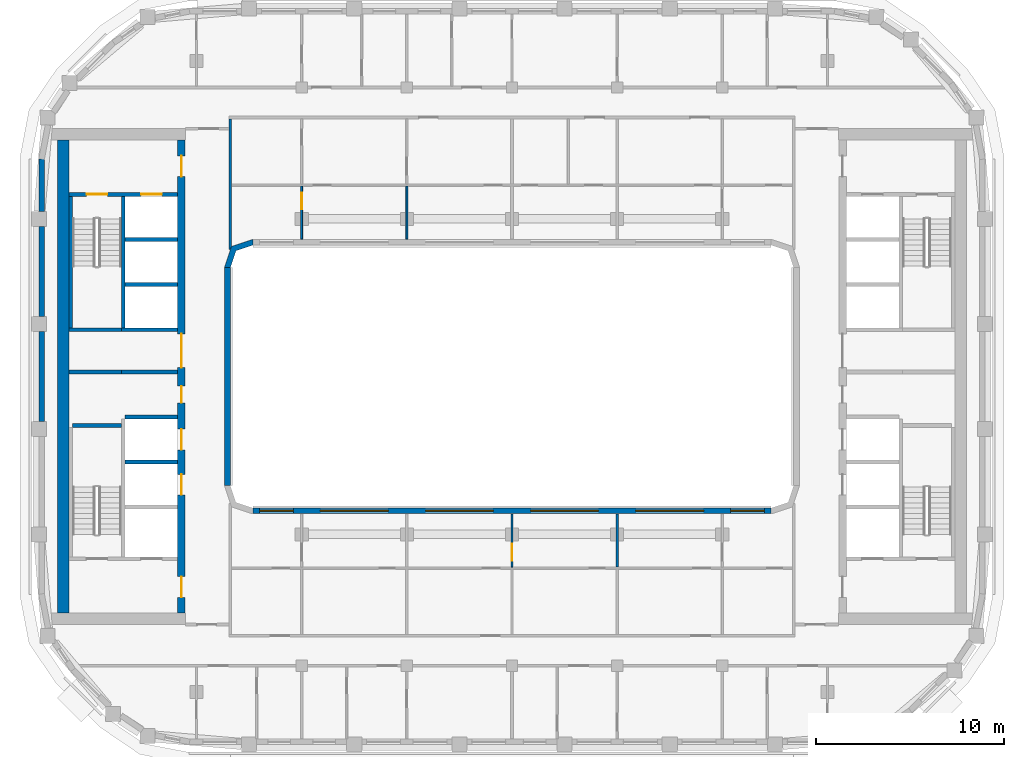
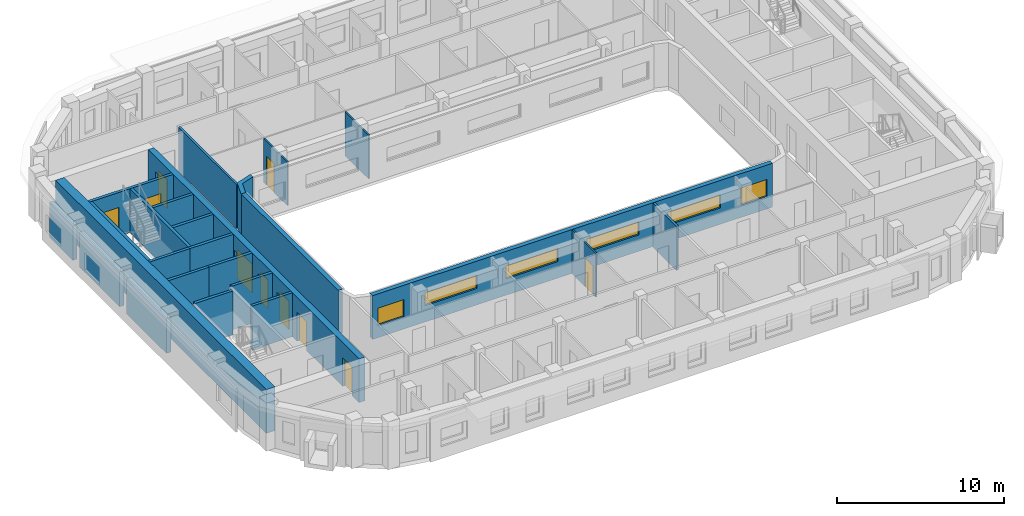
# One storey, part 4 of 16: 25 walls, 10 doors, 6 windows, 16 openings.
"""IFC4 building model written with IfcOpenShell, lengths in metres."""

from ifc_helpers import new_model, si_unit, direction, frame, frame_2d, origin, place, context, subcontext, project, spatial, polyline, rectangle, outline, extrude, material, layer, layer_set, type_object, element, fill, save


model = new_model("IFC4")

# Units and contexts
model_context = context("Model", 3, precision=1e-05, world=origin(), true_north=direction((0.0, 1.0)))
body_context = subcontext(model_context, "Body", "Model", "MODEL_VIEW")
ifc_project = project(units=[si_unit("LENGTHUNIT", "METRE"), si_unit("AREAUNIT", "SQUARE_METRE"), si_unit("VOLUMEUNIT", "CUBIC_METRE"), si_unit("PLANEANGLEUNIT", "RADIAN"), si_unit("MASSUNIT", "GRAM", prefix="KILO")], contexts=[model_context])

# Site, building, storey
site_placement = place(None, origin())
site = spatial("IfcSite", under=ifc_project, at=site_placement, CompositionType="ELEMENT")
building_placement = place(site_placement, origin())
building = spatial("IfcBuilding", under=site, at=building_placement, Name="Kiln Ring Residences", CompositionType="ELEMENT")
storey_placement = place(building_placement, frame((0.0, 0.0, 245.199951171875)))
storey = spatial("IfcBuildingStorey", under=building, at=storey_placement, Name="L63", CompositionType="ELEMENT", Elevation=245.199951171875)

# Walls
ifc_material_1 = material(Name="Gypsum board on steel studs", Category="steel")
ifc_layer_1 = layer(ifc_material_1, 0.199951171875)
ifc_layer_set_1 = layer_set([ifc_layer_1], Name="CORE-PARTITION-200")
wall_type_1 = type_object("IfcWallType", Name="CORE-PARTITION-200", PredefinedType="PARTITIONING", material=ifc_layer_set_1)
wall_1_placement = place(storey_placement, frame((-20.800048828125, 0.25, 0.0), z_axis=(0.0, 0.0, 1.0), x_axis=(-1.0, 0.0, 0.0)))
element("IfcWall", 1, at=wall_1_placement, inside=storey, type_object=wall_type_1, Name="Core partition west L63 1", PredefinedType="PARTITIONING", context=body_context, shape_type="SweptSolid", body=[
    extrude(rectangle(XDim=2.800048828125, YDim=0.199951171875, at=frame_2d((1.39990234375, 0.0))), origin(), (0.0, 0.0, 1.0), 3.199951171875),
])
ifc_material_2 = material(Name="Gypsum shaft wall system")
ifc_layer_2 = layer(ifc_material_2, 0.199951171875)
ifc_layer_set_2 = layer_set([ifc_layer_2], Name="CORE-SHAFT-WALL-200")
wall_type_2 = type_object("IfcWallType", Name="CORE-SHAFT-WALL-200", PredefinedType="PARTITIONING", material=ifc_layer_set_2)
for number, where, z_axis, x_axis, name in (
    (2, (-17.800048828125, -4.550048828125, 0.0), (0.0, 0.0, 1.0), (-1.0, 0.0, 0.0), "Core partition west L63 3"),
    (3, (-17.800048828125, -2.14990234375, 0.0), (0.0, 0.0, 1.0), (-1.0, 0.0, 0.0), "Core partition west L63 4"),
):
    element("IfcWall", number, at=place(storey_placement, frame(where, z_axis=z_axis, x_axis=x_axis)), inside=storey, type_object=wall_type_2, Name=name, PredefinedType="PARTITIONING", context=body_context, shape_type="SweptSolid", body=[
        extrude(rectangle(XDim=2.800048828125, YDim=0.199951171875, at=frame_2d((1.39990234375, 0.0))), origin(), (0.0, 0.0, 1.0), 3.199951171875),
    ])
for number, where, z_axis, x_axis, name in (
    (4, (-17.800048828125, 0.25, 0.0), (0.0, 0.0, 1.0), (-1.0, 0.0, 0.0), "Core partition west L63 5"),
    (5, (-17.800048828125, 2.5, 0.0), (0.0, 0.0, 1.0), (-1.0, 0.0, 0.0), "Core partition west L63 6"),
):
    element("IfcWall", number, at=place(storey_placement, frame(where, z_axis=z_axis, x_axis=x_axis)), inside=storey, type_object=wall_type_2, Name=name, PredefinedType="PARTITIONING", context=body_context, shape_type="SweptSolid", body=[
        extrude(rectangle(XDim=3.0, YDim=0.199951171875, at=frame_2d((1.5, 0.0))), origin(), (0.0, 0.0, 1.0), 3.199951171875),
    ])
for number, where, z_axis, x_axis, name in (
    (6, (-17.800048828125, 4.89990234375, 0.0), (0.0, 0.0, 1.0), (-1.0, 0.0, 0.0), "Core partition west L63 7"),
    (7, (-17.800048828125, 7.300048828125, 0.0), (0.0, 0.0, 1.0), (-1.0, 0.0, 0.0), "Core partition west L63 8"),
):
    element("IfcWall", number, at=place(storey_placement, frame(where, z_axis=z_axis, x_axis=x_axis)), inside=storey, type_object=wall_type_2, Name=name, PredefinedType="PARTITIONING", context=body_context, shape_type="SweptSolid", body=[
        extrude(rectangle(XDim=2.800048828125, YDim=0.199951171875, at=frame_2d((1.39990234375, 0.0))), origin(), (0.0, 0.0, 1.0), 3.199951171875),
    ])
ifc_material_3 = material(Name="Concrete C40/50", Category="concrete")
ifc_layer_3 = layer(ifc_material_3, 0.199951171875)
ifc_layer_set_3 = layer_set([ifc_layer_3], Name="CORE-WALL-RC200")
wall_type_3 = type_object("IfcWallType", Name="CORE-WALL-RC200", PredefinedType="SHEAR", material=ifc_layer_set_3)
wall_2_placement = place(storey_placement, frame((-20.699951171875, 2.60009765625, 0.0), z_axis=(0.0, 0.0, 1.0), x_axis=(0.0, 1.0, 0.0)))
element("IfcWall", 8, at=wall_2_placement, inside=storey, type_object=wall_type_3, Name="Core wall west L63 1", PredefinedType="SHEAR", context=body_context, shape_type="SweptSolid", body=[
    extrude(rectangle(XDim=7.0, YDim=0.199951171875, at=frame_2d((3.5, 0.0))), origin(), (0.0, 0.0, 1.0), 3.199951171875),
])
wall_3_placement = place(storey_placement, frame((-20.800048828125, 2.5, 0.0), z_axis=(0.0, 0.0, 1.0), x_axis=(-1.0, 0.0, 0.0)))
element("IfcWall", 9, at=wall_3_placement, inside=storey, type_object=wall_type_3, Name="Core wall west L63 3", PredefinedType="SHEAR", context=body_context, shape_type="SweptSolid", body=[
    extrude(rectangle(XDim=2.800048828125, YDim=0.199951171875, at=frame_2d((1.39990234375, 0.0))), origin(), (0.0, 0.0, 1.0), 3.199951171875),
])

# Wall, openings, doors
wall_4_placement = place(storey_placement, frame((-17.800048828125, 9.699951171875, 0.0), z_axis=(0.0, 0.0, 1.0), x_axis=(-1.0, 0.0, 0.0)))
wall_4 = element("IfcWall", 10, at=wall_4_placement, inside=storey, type_object=wall_type_3, Name="Core wall west L63 9", PredefinedType="SHEAR", context=body_context, shape_type="SweptSolid", body=[
    extrude(rectangle(XDim=5.800048828125, YDim=0.199951171875, at=frame_2d((2.89990234375, 0.0))), origin(), (0.0, 0.0, 1.0), 3.199951171875),
])
opening_1_placement = place(wall_4_placement, frame((0.85009765625, 0.0, 0.0)))
opening_1 = element("IfcOpeningElement", 11, at=opening_1_placement, cuts=wall_4, Name="Opening L63-CW05", PredefinedType="OPENING", context=body_context, shape_type="SweptSolid", body=[
    extrude(rectangle(XDim=1.10009765625, YDim=2.10009765625, at=frame_2d((0.550048828125, 1.050048828125))), frame((0.0, 0.10986328125, 0.0), z_axis=(0.0, -1.0, 0.0), x_axis=(1.0, 0.0, 0.0)), (0.0, 0.0, 1.0), 0.219970703125),
])
opening_2_placement = place(wall_4_placement, frame((3.75, 0.0, 0.0)))
opening_2 = element("IfcOpeningElement", 12, at=opening_2_placement, cuts=wall_4, Name="Opening L63-CW08", PredefinedType="OPENING", context=body_context, shape_type="SweptSolid", body=[
    extrude(rectangle(XDim=1.10009765625, YDim=2.10009765625, at=frame_2d((0.550048828125, 1.050048828125))), frame((0.0, 0.10986328125, 0.0), z_axis=(0.0, -1.0, 0.0), x_axis=(1.0, 0.0, 0.0)), (0.0, 0.0, 1.0), 0.219970703125),
])
ifc_material_4 = material(Name="Steel door leaf", Category="steel")
door_type_1 = type_object("IfcDoorType", Name="CORE-DOOR-LD", OperationType="DOUBLE_DOOR_SLIDING", PredefinedType="DOOR", material=ifc_material_4)
door_1_placement = place(opening_1_placement, origin())
door_1 = element("IfcDoor", 13, at=door_1_placement, inside=storey, type_object=door_type_1, Name="LD W-FF L63-CW05", OperationType="DOUBLE_DOOR_SLIDING", OverallHeight=2.10009765625, OverallWidth=1.10009765625, PredefinedType="DOOR", context=body_context, shape_type="SweptSolid", body=[
    extrude(rectangle(XDim=1.10009765625, YDim=2.10009765625, at=frame_2d((0.550048828125, 1.050048828125))), frame((0.0, 0.02490234375, 0.0), z_axis=(0.0, -1.0, 0.0), x_axis=(1.0, 0.0, 0.0)), (0.0, 0.0, 1.0), 0.050048828125),
])
fill(opening_1, door_1)
ifc_material_5 = material(Name="Steel door leaf", Category="steel")
door_type_2 = type_object("IfcDoorType", Name="CORE-DOOR-STAIR", OperationType="SINGLE_SWING_LEFT", PredefinedType="DOOR", material=ifc_material_5)
door_2_placement = place(opening_2_placement, origin())
door_2 = element("IfcDoor", 14, at=door_2_placement, inside=storey, type_object=door_type_2, Name="Stair W-STN L63-CW08", OperationType="SINGLE_SWING_RIGHT", OverallHeight=2.10009765625, OverallWidth=1.10009765625, PredefinedType="DOOR", context=body_context, shape_type="SweptSolid", body=[
    extrude(rectangle(XDim=1.10009765625, YDim=2.10009765625, at=frame_2d((0.550048828125, 1.050048828125))), frame((0.0, 0.02490234375, 0.0), z_axis=(0.0, -1.0, 0.0), x_axis=(1.0, 0.0, 0.0)), (0.0, 0.0, 1.0), 0.050048828125),
])
fill(opening_2, door_2)

# Walls
wall_5_placement = place(storey_placement, frame((-23.5, 2.60009765625, 0.0), z_axis=(0.0, 0.0, 1.0), x_axis=(0.0, 1.0, 0.0)))
element("IfcWall", 15, at=wall_5_placement, inside=storey, type_object=wall_type_3, Name="Core wall west L63 10", PredefinedType="SHEAR", context=body_context, shape_type="SweptSolid", body=[
    extrude(rectangle(XDim=7.0, YDim=0.199951171875, at=frame_2d((3.5, 0.0))), origin(), (0.0, 0.0, 1.0), 3.199951171875),
])
wall_6_placement = place(storey_placement, frame((-20.800048828125, -2.60009765625, 0.0), z_axis=(0.0, 0.0, 1.0), x_axis=(-1.0, 0.0, 0.0)))
element("IfcWall", 16, at=wall_6_placement, inside=storey, type_object=wall_type_3, Name="Core wall west L63 12", PredefinedType="SHEAR", context=body_context, shape_type="SweptSolid", body=[
    extrude(rectangle(XDim=2.599853515625, YDim=0.199951171875, at=frame_2d((1.2998046875, 0.0))), origin(), (0.0, 0.0, 1.0), 3.199951171875),
])

# Wall, openings, doors
ifc_material_6 = material(Name="Concrete C60/75", Category="concrete")
ifc_layer_4 = layer(ifc_material_6, 0.39990234375)
ifc_layer_set_4 = layer_set([ifc_layer_4], Name="CORE-WALL-RC400")
wall_type_4 = type_object("IfcWallType", Name="CORE-WALL-RC400", PredefinedType="SHEAR", material=ifc_layer_set_4)
wall_7_placement = place(storey_placement, frame((-17.60009765625, -12.60009765625, 0.0), z_axis=(0.0, 0.0, 1.0), x_axis=(0.0, 1.0, 0.0)))
wall_7 = element("IfcWall", 17, at=wall_7_placement, inside=storey, type_object=wall_type_4, Name="Core wall west L63 6", PredefinedType="SHEAR", context=body_context, shape_type="SweptSolid", body=[
    extrude(rectangle(XDim=25.2001953125, YDim=0.39990234375, at=frame_2d((12.60009765625, 0.0))), origin(), (0.0, 0.0, 1.0), 3.199951171875),
])
opening_3_placement = place(wall_7_placement, frame((6.300048828125, 0.0, 0.0)))
opening_3 = element("IfcOpeningElement", 18, at=opening_3_placement, cuts=wall_7, Name="Opening L63-CW02", PredefinedType="OPENING", context=body_context, shape_type="SweptSolid", body=[
    extrude(rectangle(XDim=1.10009765625, YDim=2.10009765625, at=frame_2d((0.550048828125, 1.050048828125))), frame((0.0, 0.2099609375, 0.0), z_axis=(0.0, -1.0, 0.0), x_axis=(1.0, 0.0, 0.0)), (0.0, 0.0, 1.0), 0.419921875),
])
opening_4_placement = place(wall_7_placement, frame((8.699951171875, 0.0, 0.0)))
opening_4 = element("IfcOpeningElement", 19, at=opening_4_placement, cuts=wall_7, Name="Opening L63-CW03", PredefinedType="OPENING", context=body_context, shape_type="SweptSolid", body=[
    extrude(rectangle(XDim=1.10009765625, YDim=2.10009765625, at=frame_2d((0.550048828125, 1.050048828125))), frame((0.0, 0.2099609375, 0.0), z_axis=(0.0, -1.0, 0.0), x_axis=(1.0, 0.0, 0.0)), (0.0, 0.0, 1.0), 0.419921875),
])
opening_5_placement = place(wall_7_placement, frame((11.199951171875, 0.0, 0.0)))
opening_5 = element("IfcOpeningElement", 20, at=opening_5_placement, cuts=wall_7, Name="Opening L63-CW04", PredefinedType="OPENING", context=body_context, shape_type="SweptSolid", body=[
    extrude(rectangle(XDim=0.89990234375, YDim=2.10009765625, at=frame_2d((0.449951171875, 1.050048828125))), frame((0.0, 0.2099609375, 0.0), z_axis=(0.0, -1.0, 0.0), x_axis=(1.0, 0.0, 0.0)), (0.0, 0.0, 1.0), 0.419921875),
])
opening_6_placement = place(wall_7_placement, frame((23.25, 0.0, 0.0)))
opening_6 = element("IfcOpeningElement", 21, at=opening_6_placement, cuts=wall_7, Name="Opening L63-CW06", PredefinedType="OPENING", context=body_context, shape_type="SweptSolid", body=[
    extrude(rectangle(XDim=1.10009765625, YDim=2.10009765625, at=frame_2d((0.550048828125, 1.050048828125))), frame((0.0, 0.2099609375, 0.0), z_axis=(0.0, -1.0, 0.0), x_axis=(1.0, 0.0, 0.0)), (0.0, 0.0, 1.0), 0.419921875),
])
opening_7_placement = place(wall_7_placement, frame((0.85009765625, 0.0, 0.0)))
opening_7 = element("IfcOpeningElement", 22, at=opening_7_placement, cuts=wall_7, Name="Opening L63-CW07", PredefinedType="OPENING", context=body_context, shape_type="SweptSolid", body=[
    extrude(rectangle(XDim=1.10009765625, YDim=2.10009765625, at=frame_2d((0.550048828125, 1.050048828125))), frame((0.0, 0.2099609375, 0.0), z_axis=(0.0, -1.0, 0.0), x_axis=(1.0, 0.0, 0.0)), (0.0, 0.0, 1.0), 0.419921875),
])
opening_8_placement = place(wall_7_placement, frame((13.074951171875, 0.0, 0.0)))
opening_8 = element("IfcOpeningElement", 23, at=opening_8_placement, cuts=wall_7, Name="Opening L63-CW10", PredefinedType="OPENING", context=body_context, shape_type="SweptSolid", body=[
    extrude(rectangle(XDim=1.800048828125, YDim=2.10009765625, at=frame_2d((0.89990234375, 1.050048828125))), frame((0.0, 0.2099609375, 0.0), z_axis=(0.0, -1.0, 0.0), x_axis=(1.0, 0.0, 0.0)), (0.0, 0.0, 1.0), 0.419921875),
])
door_3_placement = place(opening_3_placement, origin())
door_3 = element("IfcDoor", 24, at=door_3_placement, inside=storey, type_object=door_type_1, Name="LD W-H1 L63-CW02", OperationType="DOUBLE_DOOR_SLIDING", OverallHeight=2.10009765625, OverallWidth=1.10009765625, PredefinedType="DOOR", context=body_context, shape_type="SweptSolid", body=[
    extrude(rectangle(XDim=1.10009765625, YDim=2.10009765625, at=frame_2d((0.550048828125, 1.050048828125))), frame((0.0, 0.02490234375, 0.0), z_axis=(0.0, -1.0, 0.0), x_axis=(1.0, 0.0, 0.0)), (0.0, 0.0, 1.0), 0.050048828125),
])
fill(opening_3, door_3)
door_4_placement = place(opening_4_placement, origin())
door_4 = element("IfcDoor", 25, at=door_4_placement, inside=storey, type_object=door_type_1, Name="LD W-H2 L63-CW03", OperationType="DOUBLE_DOOR_SLIDING", OverallHeight=2.10009765625, OverallWidth=1.10009765625, PredefinedType="DOOR", context=body_context, shape_type="SweptSolid", body=[
    extrude(rectangle(XDim=1.10009765625, YDim=2.10009765625, at=frame_2d((0.550048828125, 1.050048828125))), frame((0.0, 0.02490234375, 0.0), z_axis=(0.0, -1.0, 0.0), x_axis=(1.0, 0.0, 0.0)), (0.0, 0.0, 1.0), 0.050048828125),
])
fill(opening_4, door_4)
ifc_material_7 = material(Name="Steel door leaf", Category="steel")
door_type_3 = type_object("IfcDoorType", Name="CORE-DOOR-LOBBY", OperationType="SINGLE_SWING_LEFT", PredefinedType="DOOR", material=ifc_material_7)
door_5_placement = place(opening_6_placement, origin())
door_5 = element("IfcDoor", 26, at=door_5_placement, inside=storey, type_object=door_type_3, Name="FFL L63-CW06", OperationType="SINGLE_SWING_LEFT", OverallHeight=2.10009765625, OverallWidth=1.10009765625, PredefinedType="DOOR", context=body_context, shape_type="SweptSolid", body=[
    extrude(rectangle(XDim=1.10009765625, YDim=2.10009765625, at=frame_2d((0.550048828125, 1.050048828125))), frame((0.0, 0.02490234375, 0.0), z_axis=(0.0, -1.0, 0.0), x_axis=(1.0, 0.0, 0.0)), (0.0, 0.0, 1.0), 0.050048828125),
])
fill(opening_6, door_5)
door_6_placement = place(opening_7_placement, origin())
door_6 = element("IfcDoor", 27, at=door_6_placement, inside=storey, type_object=door_type_3, Name="SVL L63-CW07", OperationType="SINGLE_SWING_RIGHT", OverallHeight=2.10009765625, OverallWidth=1.10009765625, PredefinedType="DOOR", context=body_context, shape_type="SweptSolid", body=[
    extrude(rectangle(XDim=1.10009765625, YDim=2.10009765625, at=frame_2d((0.550048828125, 1.050048828125))), frame((0.0, 0.02490234375, 0.0), z_axis=(0.0, -1.0, 0.0), x_axis=(1.0, 0.0, 0.0)), (0.0, 0.0, 1.0), 0.050048828125),
])
fill(opening_7, door_6)
ifc_material_8 = material(Name="Steel door leaf", Category="steel")
door_type_4 = type_object("IfcDoorType", Name="CORE-DOOR-PASS", OperationType="DOUBLE_DOOR_SINGLE_SWING", PredefinedType="DOOR", material=ifc_material_8)
door_7_placement = place(opening_8_placement, origin())
door_7 = element("IfcDoor", 28, at=door_7_placement, inside=storey, type_object=door_type_4, Name="Core passage L63-CW10", OperationType="DOUBLE_DOOR_SINGLE_SWING", OverallHeight=2.10009765625, OverallWidth=1.800048828125, PredefinedType="DOOR", context=body_context, shape_type="SweptSolid", body=[
    extrude(rectangle(XDim=1.800048828125, YDim=2.10009765625, at=frame_2d((0.89990234375, 1.050048828125))), frame((0.0, 0.02490234375, 0.0), z_axis=(0.0, -1.0, 0.0), x_axis=(1.0, 0.0, 0.0)), (0.0, 0.0, 1.0), 0.050048828125),
])
fill(opening_8, door_7)
ifc_material_9 = material(Name="Steel door leaf", Category="steel")
door_type_5 = type_object("IfcDoorType", Name="CORE-DOOR-ROOM", OperationType="SINGLE_SWING_LEFT", PredefinedType="DOOR", material=ifc_material_9)
door_8_placement = place(opening_5_placement, origin())
door_8 = element("IfcDoor", 29, at=door_8_placement, inside=storey, type_object=door_type_5, Name="Cleaner's base L63-CW04", OperationType="SINGLE_SWING_RIGHT", OverallHeight=2.10009765625, OverallWidth=0.89990234375, PredefinedType="DOOR", context=body_context, shape_type="SweptSolid", body=[
    extrude(rectangle(XDim=0.89990234375, YDim=2.10009765625, at=frame_2d((0.449951171875, 1.050048828125))), frame((0.0, 0.02490234375, 0.0), z_axis=(0.0, -1.0, 0.0), x_axis=(1.0, 0.0, 0.0)), (0.0, 0.0, 1.0), 0.050048828125),
])
fill(opening_5, door_8)

# Walls
ifc_material_10 = material(Name="Concrete C60/75", Category="concrete")
ifc_layer_5 = layer(ifc_material_10, 0.60009765625)
ifc_layer_set_5 = layer_set([ifc_layer_5], Name="CORE-WALL-RC600")
wall_type_5 = type_object("IfcWallType", Name="CORE-WALL-RC600", PredefinedType="SHEAR", material=ifc_layer_set_5)
wall_8_placement = place(storey_placement, frame((-23.89990234375, -12.60009765625, 0.0), z_axis=(0.0, 0.0, 1.0), x_axis=(0.0, 1.0, 0.0)))
element("IfcWall", 30, at=wall_8_placement, inside=storey, type_object=wall_type_5, Name="Core wall west L63 7", PredefinedType="SHEAR", context=body_context, shape_type="SweptSolid", body=[
    extrude(rectangle(XDim=25.2001953125, YDim=0.60009765625, at=frame_2d((12.60009765625, 0.0))), origin(), (0.0, 0.0, 1.0), 3.199951171875),
])
ifc_material_11 = material(Name="Brick masonry, dark clay brick", Category="masonry")
ifc_layer_6 = layer(ifc_material_11, 0.300048828125)
ifc_layer_set_6 = layer_set([ifc_layer_6], Name="EW-300 BRICK WALL")
wall_type_6 = type_object("IfcWallType", Name="EW-300 BRICK WALL", PredefinedType="SOLIDWALL", material=ifc_layer_set_6)
wall_9_placement = place(storey_placement, frame((-25.050048828125, 11.60009765625, 0.0), z_axis=(0.0, 0.0, 1.0), x_axis=(0.0, -1.0, 0.0)))
element("IfcWall", 31, at=wall_9_placement, inside=storey, type_object=wall_type_6, Name="Facade wall L63 38", PredefinedType="SOLIDWALL", context=body_context, shape_type="SweptSolid", body=[
    extrude(rectangle(XDim=2.800048828125, YDim=0.300048828125, at=frame_2d((1.39990234375, 0.0))), origin(), (0.0, 0.0, 1.0), 2.550048828125),
])
wall_10_placement = place(storey_placement, frame((-25.050048828125, 8.0, 0.0), z_axis=(0.0, 0.0, 1.0), x_axis=(0.0, -1.0, 0.0)))
element("IfcWall", 32, at=wall_10_placement, inside=storey, type_object=wall_type_6, Name="Facade wall L63 39", PredefinedType="SOLIDWALL", context=body_context, shape_type="SweptSolid", body=[
    extrude(rectangle(XDim=4.800048828125, YDim=0.300048828125, at=frame_2d((2.39990234375, 0.0))), origin(), (0.0, 0.0, 1.0), 2.550048828125),
])
wall_11_placement = place(storey_placement, frame((-25.050048828125, 2.39990234375, 0.0), z_axis=(0.0, 0.0, 1.0), x_axis=(0.0, -1.0, 0.0)))
element("IfcWall", 33, at=wall_11_placement, inside=storey, type_object=wall_type_6, Name="Facade wall L63 40", PredefinedType="SOLIDWALL", context=body_context, shape_type="SweptSolid", body=[
    extrude(rectangle(XDim=4.7998046875, YDim=0.300048828125, at=frame_2d((2.39990234375, 0.0))), origin(), (0.0, 0.0, 1.0), 2.550048828125),
])
wall_12_placement = place(storey_placement, frame((-15.14990234375, -5.800048828125, 0.0), z_axis=(0.0, 0.0, 1.0), x_axis=(0.0, 1.0, 0.0)))
element("IfcWall", 34, at=wall_12_placement, inside=storey, type_object=wall_type_6, Name="Facade wall L63 45", PredefinedType="SOLIDWALL", context=body_context, shape_type="SweptSolid", body=[
    extrude(rectangle(XDim=11.60009765625, YDim=0.300048828125, at=frame_2d((5.800048828125, 0.0))), origin(), (0.0, 0.0, 1.0), 3.199951171875),
])

# Wall, openings, windows
wall_13_placement = place(storey_placement, frame((13.800048828125, -7.14990234375, 0.0), z_axis=(0.0, 0.0, 1.0), x_axis=(-1.0, 0.0, 0.0)))
wall_13 = element("IfcWall", 35, at=wall_13_placement, inside=storey, type_object=wall_type_6, Name="Facade wall L63 48", PredefinedType="SOLIDWALL", context=body_context, shape_type="SweptSolid", body=[
    extrude(rectangle(XDim=27.60009765625, YDim=0.300048828125, at=frame_2d((13.800048828125, 0.0))), origin(), (0.0, 0.0, 1.0), 3.199951171875),
])
opening_9_placement = place(wall_13_placement, frame((0.362548828125, 0.0, 0.89990234375)))
opening_9 = element("IfcOpeningElement", 36, at=opening_9_placement, cuts=wall_13, Name="Opening W2", PredefinedType="OPENING", context=body_context, shape_type="SweptSolid", body=[
    extrude(rectangle(XDim=1.800048828125, YDim=1.25, at=frame_2d((0.89990234375, 0.625))), frame((0.0, 0.159912109375, 0.0), z_axis=(0.0, -1.0, 0.0), x_axis=(1.0, 0.0, 0.0)), (0.0, 0.0, 1.0), 0.320068359375),
])
opening_10_placement = place(wall_13_placement, frame((3.60009765625, 0.0, 1.199951171875)))
opening_10 = element("IfcOpeningElement", 37, at=opening_10_placement, cuts=wall_13, Name="Opening W4", PredefinedType="OPENING", context=body_context, shape_type="SweptSolid", body=[
    extrude(rectangle(XDim=3.60009765625, YDim=0.949951171875, at=frame_2d((1.800048828125, 0.47509765625))), frame((0.0, 0.159912109375, 0.0), z_axis=(0.0, -1.0, 0.0), x_axis=(1.0, 0.0, 0.0)), (0.0, 0.0, 1.0), 0.320068359375),
])
opening_11_placement = place(wall_13_placement, frame((9.199951171875, 0.0, 1.199951171875)))
opening_11 = element("IfcOpeningElement", 38, at=opening_11_placement, cuts=wall_13, Name="Opening W4", PredefinedType="OPENING", context=body_context, shape_type="SweptSolid", body=[
    extrude(rectangle(XDim=3.60009765625, YDim=0.949951171875, at=frame_2d((1.800048828125, 0.47509765625))), frame((0.0, 0.159912109375, 0.0), z_axis=(0.0, -1.0, 0.0), x_axis=(1.0, 0.0, 0.0)), (0.0, 0.0, 1.0), 0.320068359375),
])
opening_12_placement = place(wall_13_placement, frame((14.800048828125, 0.0, 1.199951171875)))
opening_12 = element("IfcOpeningElement", 39, at=opening_12_placement, cuts=wall_13, Name="Opening W4", PredefinedType="OPENING", context=body_context, shape_type="SweptSolid", body=[
    extrude(rectangle(XDim=3.60009765625, YDim=0.949951171875, at=frame_2d((1.800048828125, 0.47509765625))), frame((0.0, 0.159912109375, 0.0), z_axis=(0.0, -1.0, 0.0), x_axis=(1.0, 0.0, 0.0)), (0.0, 0.0, 1.0), 0.320068359375),
])
opening_13_placement = place(wall_13_placement, frame((20.39990234375, 0.0, 1.199951171875)))
opening_13 = element("IfcOpeningElement", 40, at=opening_13_placement, cuts=wall_13, Name="Opening W4", PredefinedType="OPENING", context=body_context, shape_type="SweptSolid", body=[
    extrude(rectangle(XDim=3.60009765625, YDim=0.949951171875, at=frame_2d((1.800048828125, 0.47509765625))), frame((0.0, 0.159912109375, 0.0), z_axis=(0.0, -1.0, 0.0), x_axis=(1.0, 0.0, 0.0)), (0.0, 0.0, 1.0), 0.320068359375),
])
opening_14_placement = place(wall_13_placement, frame((25.4375, 0.0, 0.89990234375)))
opening_14 = element("IfcOpeningElement", 41, at=opening_14_placement, cuts=wall_13, Name="Opening W2", PredefinedType="OPENING", context=body_context, shape_type="SweptSolid", body=[
    extrude(rectangle(XDim=1.800048828125, YDim=1.25, at=frame_2d((0.89990234375, 0.625))), frame((0.0, 0.159912109375, 0.0), z_axis=(0.0, -1.0, 0.0), x_axis=(1.0, 0.0, 0.0)), (0.0, 0.0, 1.0), 0.320068359375),
])
ifc_material_12 = material(Name="Aluminium frame with double glazing", Category="aluminium")
window_type_1 = type_object("IfcWindowType", Name="WINDOW 1800 x 1250", PartitioningType="SINGLE_PANEL", PredefinedType="WINDOW", material=ifc_material_12)
window_1_placement = place(opening_9_placement, origin())
window_1 = element("IfcWindow", 42, at=window_1_placement, inside=storey, type_object=window_type_1, Name="Window L63 43", OverallHeight=1.25, OverallWidth=1.800048828125, PartitioningType="SINGLE_PANEL", PredefinedType="WINDOW", context=body_context, shape_type="SweptSolid", body=[
    extrude(rectangle(XDim=1.800048828125, YDim=1.25, at=frame_2d((0.89990234375, 0.625))), frame((0.0, 0.030029296875, 0.0), z_axis=(0.0, -1.0, 0.0), x_axis=(1.0, 0.0, 0.0)), (0.0, 0.0, 1.0), 0.06005859375),
])
fill(opening_9, window_1)
window_2_placement = place(opening_14_placement, origin())
window_2 = element("IfcWindow", 43, at=window_2_placement, inside=storey, type_object=window_type_1, Name="Window L63 48", OverallHeight=1.25, OverallWidth=1.800048828125, PartitioningType="SINGLE_PANEL", PredefinedType="WINDOW", context=body_context, shape_type="SweptSolid", body=[
    extrude(rectangle(XDim=1.800048828125, YDim=1.25, at=frame_2d((0.89990234375, 0.625))), frame((0.0, 0.030029296875, 0.0), z_axis=(0.0, -1.0, 0.0), x_axis=(1.0, 0.0, 0.0)), (0.0, 0.0, 1.0), 0.06005859375),
])
fill(opening_14, window_2)
ifc_material_13 = material(Name="Aluminium frame with double glazing", Category="aluminium")
window_type_2 = type_object("IfcWindowType", Name="WINDOW 3600 x 950", PartitioningType="SINGLE_PANEL", PredefinedType="WINDOW", material=ifc_material_13)
window_3_placement = place(opening_10_placement, origin())
window_3 = element("IfcWindow", 44, at=window_3_placement, inside=storey, type_object=window_type_2, Name="Window L63 44", OverallHeight=0.949951171875, OverallWidth=3.60009765625, PartitioningType="SINGLE_PANEL", PredefinedType="WINDOW", context=body_context, shape_type="SweptSolid", body=[
    extrude(rectangle(XDim=3.60009765625, YDim=0.949951171875, at=frame_2d((1.800048828125, 0.47509765625))), frame((0.0, 0.030029296875, 0.0), z_axis=(0.0, -1.0, 0.0), x_axis=(1.0, 0.0, 0.0)), (0.0, 0.0, 1.0), 0.06005859375),
])
fill(opening_10, window_3)
window_4_placement = place(opening_11_placement, origin())
window_4 = element("IfcWindow", 45, at=window_4_placement, inside=storey, type_object=window_type_2, Name="Window L63 45", OverallHeight=0.949951171875, OverallWidth=3.60009765625, PartitioningType="SINGLE_PANEL", PredefinedType="WINDOW", context=body_context, shape_type="SweptSolid", body=[
    extrude(rectangle(XDim=3.60009765625, YDim=0.949951171875, at=frame_2d((1.800048828125, 0.47509765625))), frame((0.0, 0.030029296875, 0.0), z_axis=(0.0, -1.0, 0.0), x_axis=(1.0, 0.0, 0.0)), (0.0, 0.0, 1.0), 0.06005859375),
])
fill(opening_11, window_4)
window_5_placement = place(opening_12_placement, origin())
window_5 = element("IfcWindow", 46, at=window_5_placement, inside=storey, type_object=window_type_2, Name="Window L63 46", OverallHeight=0.949951171875, OverallWidth=3.60009765625, PartitioningType="SINGLE_PANEL", PredefinedType="WINDOW", context=body_context, shape_type="SweptSolid", body=[
    extrude(rectangle(XDim=3.60009765625, YDim=0.949951171875, at=frame_2d((1.800048828125, 0.47509765625))), frame((0.0, 0.030029296875, 0.0), z_axis=(0.0, -1.0, 0.0), x_axis=(1.0, 0.0, 0.0)), (0.0, 0.0, 1.0), 0.06005859375),
])
fill(opening_12, window_5)
window_6_placement = place(opening_13_placement, origin())
window_6 = element("IfcWindow", 47, at=window_6_placement, inside=storey, type_object=window_type_2, Name="Window L63 47", OverallHeight=0.949951171875, OverallWidth=3.60009765625, PartitioningType="SINGLE_PANEL", PredefinedType="WINDOW", context=body_context, shape_type="SweptSolid", body=[
    extrude(rectangle(XDim=3.60009765625, YDim=0.949951171875, at=frame_2d((1.800048828125, 0.47509765625))), frame((0.0, 0.030029296875, 0.0), z_axis=(0.0, -1.0, 0.0), x_axis=(1.0, 0.0, 0.0)), (0.0, 0.0, 1.0), 0.06005859375),
])
fill(opening_13, window_6)

# Wall
wall_14_placement = place(storey_placement, origin())
element("IfcWall", 48, at=wall_14_placement, inside=storey, type_object=wall_type_6, Name="Corner wall L63 1", PredefinedType="SOLIDWALL", context=body_context, shape_type="SweptSolid", body=[
    extrude(outline(polyline([(-13.8486328125, 7.300048828125), (-14.937255859375, 6.937255859375), (-15.300048828125, 5.8486328125), (-15.300048828125, 5.800048828125), (-15.0, 5.800048828125), (-14.699951171875, 6.699951171875), (-13.800048828125, 7.0), (-13.800048828125, 7.300048828125), (-13.8486328125, 7.300048828125)])), origin(), (0.0, 0.0, 1.0), 3.199951171875),
])

# Wall, opening, door
ifc_material_14 = material(Name="Gypsum board on steel studs", Category="steel")
ifc_layer_7 = layer(ifc_material_14, 0.10009765625)
ifc_layer_set_7 = layer_set([ifc_layer_7], Name="PARTITION-100")
wall_type_7 = type_object("IfcWallType", Name="PARTITION-100", PredefinedType="PARTITIONING", material=ifc_layer_set_7)
wall_15_placement = place(storey_placement, frame((-11.199951171875, 7.320068359375, 0.0), z_axis=(0.0, 0.0, 1.0), x_axis=(0.0, 1.0, 0.0)))
wall_15 = element("IfcWall", 49, at=wall_15_placement, inside=storey, type_object=wall_type_7, Name="Partition 017", PredefinedType="PARTITIONING", context=body_context, shape_type="SweptSolid", body=[
    extrude(rectangle(XDim=2.829833984375, YDim=0.10009765625, at=frame_2d((1.4150390625, 0.0))), origin(), (0.0, 0.0, 1.0), 3.199951171875),
])
opening_15_placement = place(wall_15_placement, frame((1.580078125, 0.0, 0.0)))
opening_15 = element("IfcOpeningElement", 50, at=opening_15_placement, cuts=wall_15, Name="Opening L63-D010", PredefinedType="OPENING", context=body_context, shape_type="SweptSolid", body=[
    extrude(rectangle(XDim=0.89990234375, YDim=2.10009765625, at=frame_2d((0.449951171875, 1.050048828125))), frame((0.0, 0.06005859375, 0.0), z_axis=(0.0, -1.0, 0.0), x_axis=(1.0, 0.0, 0.0)), (0.0, 0.0, 1.0), 0.1201171875),
])
ifc_material_15 = material(Name="Timber door leaf", Category="wood")
door_type_6 = type_object("IfcDoorType", Name="FLAT-DOOR-900-PL", OperationType="SINGLE_SWING_LEFT", PredefinedType="DOOR", material=ifc_material_15)
door_9_placement = place(opening_15_placement, origin())
door_9 = element("IfcDoor", 51, at=door_9_placement, inside=storey, type_object=door_type_6, Name="Door L63-D010", OperationType="SINGLE_SWING_LEFT", OverallHeight=2.10009765625, OverallWidth=0.89990234375, PredefinedType="DOOR", context=body_context, shape_type="SweptSolid", body=[
    extrude(rectangle(XDim=0.89990234375, YDim=2.10009765625, at=frame_2d((0.449951171875, 1.050048828125))), frame((0.0, 0.02490234375, 0.0), z_axis=(0.0, -1.0, 0.0), x_axis=(1.0, 0.0, 0.0)), (0.0, 0.0, 1.0), 0.050048828125),
])
fill(opening_15, door_9)

# Wall
wall_16_placement = place(storey_placement, frame((-5.60009765625, 7.320068359375, 0.0), z_axis=(0.0, 0.0, 1.0), x_axis=(0.0, 1.0, 0.0)))
element("IfcWall", 52, at=wall_16_placement, inside=storey, type_object=wall_type_7, Name="Partition 024", PredefinedType="PARTITIONING", context=body_context, shape_type="SweptSolid", body=[
    extrude(rectangle(XDim=2.829833984375, YDim=0.10009765625, at=frame_2d((1.4150390625, 0.0))), origin(), (0.0, 0.0, 1.0), 3.199951171875),
])

# Wall, opening, door
wall_17_placement = place(storey_placement, frame((0.0, -10.14990234375, 0.0), z_axis=(0.0, 0.0, 1.0), x_axis=(0.0, 1.0, 0.0)))
wall_17 = element("IfcWall", 53, at=wall_17_placement, inside=storey, type_object=wall_type_7, Name="Partition 031", PredefinedType="PARTITIONING", context=body_context, shape_type="SweptSolid", body=[
    extrude(rectangle(XDim=2.829833984375, YDim=0.10009765625, at=frame_2d((1.4150390625, 0.0))), origin(), (0.0, 0.0, 1.0), 3.199951171875),
])
opening_16_placement = place(wall_17_placement, frame((0.35009765625, 0.0, 0.0)))
opening_16 = element("IfcOpeningElement", 54, at=opening_16_placement, cuts=wall_17, Name="Opening L63-D036", PredefinedType="OPENING", context=body_context, shape_type="SweptSolid", body=[
    extrude(rectangle(XDim=0.89990234375, YDim=2.10009765625, at=frame_2d((0.449951171875, 1.050048828125))), frame((0.0, 0.06005859375, 0.0), z_axis=(0.0, -1.0, 0.0), x_axis=(1.0, 0.0, 0.0)), (0.0, 0.0, 1.0), 0.1201171875),
])
door_10_placement = place(opening_16_placement, origin())
door_10 = element("IfcDoor", 55, at=door_10_placement, inside=storey, type_object=door_type_6, Name="Door L63-D036", OperationType="SINGLE_SWING_LEFT", OverallHeight=2.10009765625, OverallWidth=0.89990234375, PredefinedType="DOOR", context=body_context, shape_type="SweptSolid", body=[
    extrude(rectangle(XDim=0.89990234375, YDim=2.10009765625, at=frame_2d((0.449951171875, 1.050048828125))), frame((0.0, 0.02490234375, 0.0), z_axis=(0.0, -1.0, 0.0), x_axis=(1.0, 0.0, 0.0)), (0.0, 0.0, 1.0), 0.050048828125),
])
fill(opening_16, door_10)

# Walls
ifc_material_16 = material(Name="Brick masonry partition", Category="masonry")
ifc_layer_8 = layer(ifc_material_16, 0.14990234375)
ifc_layer_set_8 = layer_set([ifc_layer_8], Name="PARTITION-150-ei60")
wall_type_8 = type_object("IfcWallType", Name="PARTITION-150-ei60", PredefinedType="PARTITIONING", material=ifc_layer_set_8)
wall_18_placement = place(storey_placement, frame((-15.0, 6.768798828125, 0.0), z_axis=(0.0, 0.0, 1.0), x_axis=(0.0, 1.0, 0.0)))
element("IfcWall", 56, at=wall_18_placement, inside=storey, type_object=wall_type_8, Name="Partition 013", PredefinedType="PARTITIONING", context=body_context, shape_type="SweptSolid", body=[
    extrude(rectangle(XDim=6.956298828125, YDim=0.14990234375, at=frame_2d((3.47802734375, 0.0))), origin(), (0.0, 0.0, 1.0), 3.199951171875),
])
wall_19_placement = place(storey_placement, frame((5.60009765625, -10.14990234375, 0.0), z_axis=(0.0, 0.0, 1.0), x_axis=(0.0, 1.0, 0.0)))
element("IfcWall", 57, at=wall_19_placement, inside=storey, type_object=wall_type_8, Name="Partition 041", PredefinedType="PARTITIONING", context=body_context, shape_type="SweptSolid", body=[
    extrude(rectangle(XDim=2.829833984375, YDim=0.14990234375, at=frame_2d((1.4150390625, 0.0))), origin(), (0.0, 0.0, 1.0), 3.199951171875),
])

save(model, "model.ifc")
